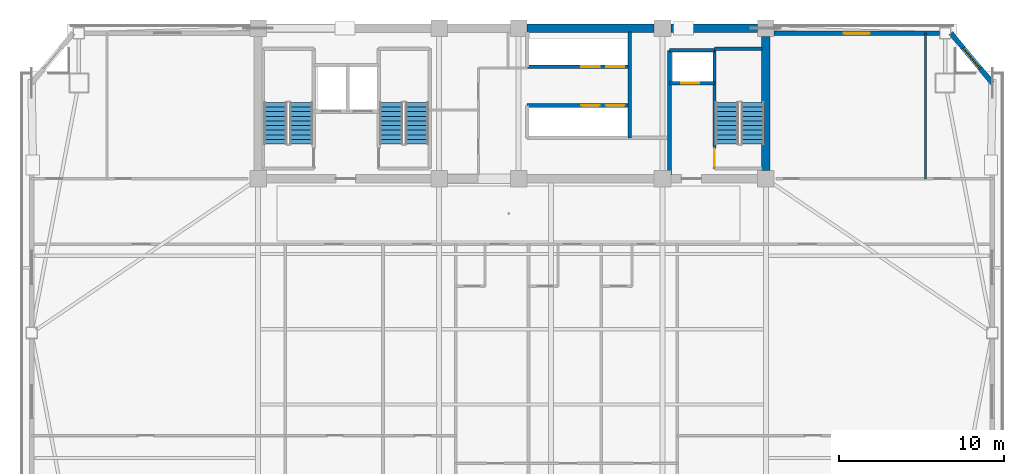
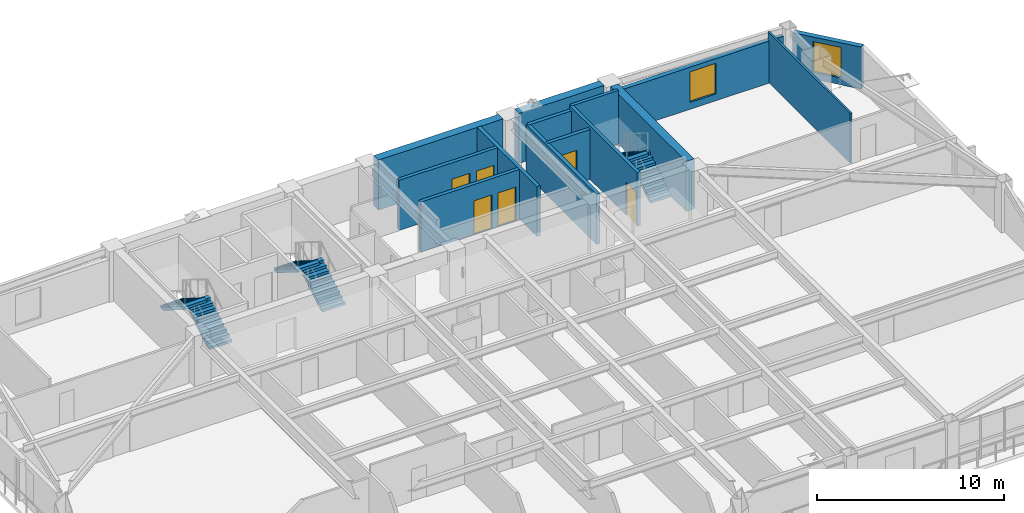
# One storey, part 10 of 15: 14 walls, 6 doors, 6 stair flights, 2 windows, 8 openings, 3 elements without a shape of their own.
"""IFC4 building model written with IfcOpenShell, lengths in metres."""

from ifc_helpers import new_model, si_unit, direction, frame, frame_2d, origin, place, context, subcontext, project, spatial, polyline, rectangle, outline, extrude, source, transform, mapped, material, layer, layer_set, type_object, element, fill, aggregate, save


model = new_model("IFC4")

# Units and contexts
model_context = context("Model", 3, precision=1e-05, world=origin(), true_north=direction((0.0, 1.0)))
body_context = subcontext(model_context, "Body", "Model", "MODEL_VIEW")
ifc_project = project(units=[si_unit("LENGTHUNIT", "METRE"), si_unit("AREAUNIT", "SQUARE_METRE"), si_unit("VOLUMEUNIT", "CUBIC_METRE"), si_unit("PLANEANGLEUNIT", "RADIAN"), si_unit("MASSUNIT", "GRAM", prefix="KILO")], contexts=[model_context])

# Site, building, storey
site_placement = place(None, origin())
site = spatial("IfcSite", under=ifc_project, at=site_placement, CompositionType="ELEMENT")
building_placement = place(site_placement, origin())
building = spatial("IfcBuilding", under=site, at=building_placement, Name="Giltprow Tower", CompositionType="ELEMENT")
storey_placement = place(building_placement, frame((0.0, 0.0, 180.699951171875)))
storey = spatial("IfcBuildingStorey", under=building, at=storey_placement, Name="L45", CompositionType="ELEMENT", Elevation=180.699951171875)

# Wall, opening, window
ifc_material_1 = material(Name="Precast concrete C40", Category="concrete")
ifc_layer_1 = layer(ifc_material_1, 0.300048828125, Name="Precast concrete C40")
ifc_layer_set_1 = layer_set([ifc_layer_1], Name="Precast concrete C40")
wall_type_1 = type_object("IfcWallType", Name="EW-NOTCH-CHAMFER-300", PredefinedType="SOLIDWALL", material=ifc_layer_set_1)
wall_1_placement = place(storey_placement, frame((64.2470703125, 43.239013671875, 0.0), z_axis=(0.0, 0.0, 1.0), x_axis=(-0.640459985381, 0.767991541051, 0.0)))
wall_1 = element("IfcWall", 1, at=wall_1_placement, inside=storey, type_object=wall_type_1, Name="L45 Corner Notch Wall NE", PredefinedType="SOLIDWALL", context=body_context, shape_type="SweptSolid", body=[
    extrude(rectangle(XDim=3.920654296875, YDim=0.300048828125, at=frame_2d((1.96044921875, 0.0))), origin(), (0.0, 0.0, 1.0), 2.75),
])
opening_1_placement = place(wall_1_placement, frame((1.159912109375, 0.0, 0.449951171875)))
opening_1 = element("IfcOpeningElement", 2, at=opening_1_placement, cuts=wall_1, Name="Opening WN17", PredefinedType="OPENING", context=body_context, shape_type="SweptSolid", body=[
    extrude(rectangle(XDim=1.60009765625, YDim=2.0, at=frame_2d((0.800048828125, 1.0))), frame((0.0, 0.159912109375, 0.0), z_axis=(0.0, -1.0, 0.0), x_axis=(1.0, 0.0, 0.0)), (0.0, 0.0, 1.0), 0.320068359375),
])
ifc_material_2 = material(Name="Insulated glass", Category="glass")
window_type = type_object("IfcWindowType", Name="WN-COR-1600x2000", PartitioningType="SINGLE_PANEL", PredefinedType="WINDOW", material=ifc_material_2)
shared_shape_1 = source(origin(), body_context, "Body", "SweptSolid", [
    extrude(rectangle(XDim=1.60009765625, YDim=2.0, at=frame_2d((0.800048828125, 1.0))), frame((0.0, 0.030029296875, 0.0), z_axis=(0.0, -1.0, 0.0), x_axis=(1.0, 0.0, 0.0)), (0.0, 0.0, 1.0), 0.06005859375),
])
window_1_placement = place(opening_1_placement, origin())
window_1 = element("IfcWindow", 3, at=window_1_placement, inside=storey, type_object=window_type, Name="L45 Corner Notch Window NE", OverallHeight=2.0, OverallWidth=1.60009765625, PartitioningType="SINGLE_PANEL", PredefinedType="WINDOW", context=body_context, shape_type="MappedRepresentation", body=[
    mapped(shared_shape_1, transform((0.0, 0.0, 0.0), x_axis=(1.0, 0.0, 0.0), y_axis=(0.0, 1.0, 0.0), z_axis=(0.0, 0.0, 1.0), scale=1.0)),
])
fill(opening_1, window_1)

ifc_layer_2 = layer(ifc_material_1, 0.280029296875, Name="Precast concrete C40")
ifc_layer_set_2 = layer_set([ifc_layer_2], Name="Precast concrete C40")
wall_type_2 = type_object("IfcWallType", Name="EW-TOW-BRONZE-280", PredefinedType="SOLIDWALL", material=ifc_layer_set_2)
wall_2_placement = place(storey_placement, frame((51.050048828125, 46.25, 0.0), z_axis=(0.0, 0.0, 1.0), x_axis=(1.0, 0.0, 0.0)))
wall_2 = element("IfcWall", 4, at=wall_2_placement, inside=storey, type_object=wall_type_2, Name="L45 North-East Wing Wall", PredefinedType="SOLIDWALL", context=body_context, shape_type="SweptSolid", body=[
    extrude(rectangle(XDim=9.98583984375, YDim=0.280029296875, at=frame_2d((4.992919921875, 0.0))), origin(), (0.0, 0.0, 1.0), 2.75),
])
opening_2_placement = place(wall_2_placement, frame((4.193115234375, 0.0, 0.449951171875)))
opening_2 = element("IfcOpeningElement", 5, at=opening_2_placement, cuts=wall_2, Name="Opening WN17", PredefinedType="OPENING", context=body_context, shape_type="SweptSolid", body=[
    extrude(rectangle(XDim=1.60009765625, YDim=2.0, at=frame_2d((0.800048828125, 1.0))), frame((0.0, 0.14990234375, 0.0), z_axis=(0.0, -1.0, 0.0), x_axis=(1.0, 0.0, 0.0)), (0.0, 0.0, 1.0), 0.300048828125),
])
window_2_placement = place(opening_2_placement, origin())
window_2 = element("IfcWindow", 6, at=window_2_placement, inside=storey, type_object=window_type, Name="L45 North-East Window", OverallHeight=2.0, OverallWidth=1.60009765625, PartitioningType="SINGLE_PANEL", PredefinedType="WINDOW", context=body_context, shape_type="MappedRepresentation", body=[
    mapped(shared_shape_1, transform((0.0, 0.0, 0.0), x_axis=(1.0, 0.0, 0.0), y_axis=(0.0, 1.0, 0.0), z_axis=(0.0, 0.0, 1.0), scale=1.0)),
])
fill(opening_2, window_2)

# Wall, opening, door
ifc_material_3 = material(Name="Concrete C40", Category="concrete")
ifc_layer_3 = layer(ifc_material_3, 0.219970703125, Name="Concrete C40")
ifc_layer_set_3 = layer_set([ifc_layer_3], Name="Concrete C40")
wall_type_3 = type_object("IfcWallType", Name="IW-SHAFT-220", PredefinedType="SOLIDWALL", material=ifc_layer_set_3)
wall_3_placement = place(storey_placement, frame((44.719970703125, 43.219970703125, 0.0), z_axis=(0.0, 0.0, 1.0), x_axis=(1.0, 0.0, 0.0)))
wall_3 = element("IfcWall", 7, at=wall_3_placement, inside=storey, type_object=wall_type_3, Name="L45 FFL2 Front Shaft Wall", PredefinedType="SOLIDWALL", context=body_context, shape_type="SweptSolid", body=[
    extrude(rectangle(XDim=2.719970703125, YDim=0.219970703125, at=frame_2d((1.35986328125, 0.0))), origin(), (0.0, 0.0, 1.0), 3.27001953125),
])
opening_3_placement = place(wall_3_placement, frame((0.699951171875, 0.0, 0.0)))
opening_3 = element("IfcOpeningElement", 8, at=opening_3_placement, cuts=wall_3, Name="Opening LD-11", PredefinedType="OPENING", context=body_context, shape_type="SweptSolid", body=[
    extrude(rectangle(XDim=1.10009765625, YDim=2.199951171875, at=frame_2d((0.550048828125, 1.10009765625))), frame((0.0, 0.119873046875, 0.0), z_axis=(0.0, -1.0, 0.0), x_axis=(1.0, 0.0, 0.0)), (0.0, 0.0, 1.0), 0.239990234375),
])
ifc_material_4 = material(Name="Stainless steel", Category="steel")
door_type_1 = type_object("IfcDoorType", Name="DR-LIFT-LD1100", OperationType="SLIDING_TO_LEFT", PredefinedType="DOOR", material=ifc_material_4)
shared_shape_2 = source(origin(), body_context, "Body", "SweptSolid", [
    extrude(rectangle(XDim=1.10009765625, YDim=2.199951171875, at=frame_2d((0.550048828125, 1.10009765625))), frame((0.0, 0.02490234375, 0.0), z_axis=(0.0, -1.0, 0.0), x_axis=(1.0, 0.0, 0.0)), (0.0, 0.0, 1.0), 0.050048828125),
])
door_1_placement = place(opening_3_placement, origin())
door_1 = element("IfcDoor", 9, at=door_1_placement, inside=storey, type_object=door_type_1, Name="L45 FFL2 Landing Door", OperationType="SLIDING_TO_LEFT", OverallHeight=2.199951171875, OverallWidth=1.10009765625, PredefinedType="DOOR", context=body_context, shape_type="MappedRepresentation", body=[
    mapped(shared_shape_2, transform((0.0, 0.0, 0.0), x_axis=(1.0, 0.0, 0.0), y_axis=(0.0, 1.0, 0.0), z_axis=(0.0, 0.0, 1.0), scale=1.0)),
])
fill(opening_3, door_1)

# Walls
wall_4_placement = place(storey_placement, frame((44.719970703125, 45.219970703125, 0.0), z_axis=(0.0, 0.0, 1.0), x_axis=(1.0, 0.0, 0.0)))
element("IfcWall", 10, at=wall_4_placement, inside=storey, type_object=wall_type_3, Name="L45 FFL2 Back Shaft Wall", PredefinedType="SOLIDWALL", context=body_context, shape_type="SweptSolid", body=[
    extrude(rectangle(XDim=2.719970703125, YDim=0.219970703125, at=frame_2d((1.35986328125, 0.0))), origin(), (0.0, 0.0, 1.0), 3.27001953125),
])
wall_5_placement = place(storey_placement, frame((44.719970703125, 37.679931640625, 0.0), z_axis=(0.0, 0.0, 1.0), x_axis=(0.0, 1.0, 0.0)))
element("IfcWall", 11, at=wall_5_placement, inside=storey, type_object=wall_type_3, Name="L45 East Firefighting Lobby West Wall", PredefinedType="SOLIDWALL", context=body_context, shape_type="SweptSolid", body=[
    extrude(rectangle(XDim=7.5400390625, YDim=0.219970703125, at=frame_2d((3.77001953125, 0.0))), origin(), (0.0, 0.0, 1.0), 3.27001953125),
])

# Wall, openings, doors
wall_6_placement = place(storey_placement, frame((36.1201171875, 44.219970703125, 0.0), z_axis=(0.0, 0.0, 1.0), x_axis=(1.0, 0.0, 0.0)))
wall_6 = element("IfcWall", 12, at=wall_6_placement, inside=storey, type_object=wall_type_3, Name="L45 Mid-Rise Lift Shaft Front Wall N", PredefinedType="SOLIDWALL", context=body_context, shape_type="SweptSolid", body=[
    extrude(rectangle(XDim=6.199951171875, YDim=0.219970703125, at=frame_2d((3.10009765625, 0.0))), origin(), (0.0, 0.0, 1.0), 3.27001953125),
])
opening_4_placement = place(wall_6_placement, frame((3.280029296875, 0.0, 0.0)))
opening_4 = element("IfcOpeningElement", 13, at=opening_4_placement, cuts=wall_6, Name="Opening LD-11", PredefinedType="OPENING", context=body_context, shape_type="SweptSolid", body=[
    extrude(rectangle(XDim=1.10009765625, YDim=2.199951171875, at=frame_2d((0.550048828125, 1.10009765625))), frame((0.0, 0.119873046875, 0.0), z_axis=(0.0, -1.0, 0.0), x_axis=(1.0, 0.0, 0.0)), (0.0, 0.0, 1.0), 0.239990234375),
])
opening_5_placement = place(wall_6_placement, frame((4.77001953125, 0.0, 0.0)))
opening_5 = element("IfcOpeningElement", 14, at=opening_5_placement, cuts=wall_6, Name="Opening LD-11", PredefinedType="OPENING", context=body_context, shape_type="SweptSolid", body=[
    extrude(rectangle(XDim=1.10009765625, YDim=2.199951171875, at=frame_2d((0.550048828125, 1.10009765625))), frame((0.0, 0.119873046875, 0.0), z_axis=(0.0, -1.0, 0.0), x_axis=(1.0, 0.0, 0.0)), (0.0, 0.0, 1.0), 0.239990234375),
])
door_2_placement = place(opening_4_placement, origin())
door_2 = element("IfcDoor", 15, at=door_2_placement, inside=storey, type_object=door_type_1, Name="L45 PL-M1 Landing Door", OperationType="SLIDING_TO_LEFT", OverallHeight=2.199951171875, OverallWidth=1.10009765625, PredefinedType="DOOR", context=body_context, shape_type="MappedRepresentation", body=[
    mapped(shared_shape_2, transform((0.0, 0.0, 0.0), x_axis=(1.0, 0.0, 0.0), y_axis=(0.0, 1.0, 0.0), z_axis=(0.0, 0.0, 1.0), scale=1.0)),
])
fill(opening_4, door_2)
door_3_placement = place(opening_5_placement, origin())
door_3 = element("IfcDoor", 16, at=door_3_placement, inside=storey, type_object=door_type_1, Name="L45 PL-M2 Landing Door", OperationType="SLIDING_TO_LEFT", OverallHeight=2.199951171875, OverallWidth=1.10009765625, PredefinedType="DOOR", context=body_context, shape_type="MappedRepresentation", body=[
    mapped(shared_shape_2, transform((0.0, 0.0, 0.0), x_axis=(1.0, 0.0, 0.0), y_axis=(0.0, 1.0, 0.0), z_axis=(0.0, 0.0, 1.0), scale=1.0)),
])
fill(opening_5, door_3)

wall_7_placement = place(storey_placement, frame((36.1201171875, 41.8798828125, 0.0), z_axis=(0.0, 0.0, 1.0), x_axis=(1.0, 0.0, 0.0)))
wall_7 = element("IfcWall", 17, at=wall_7_placement, inside=storey, type_object=wall_type_3, Name="L45 Mid-Rise Lift Shaft Front Wall S", PredefinedType="SOLIDWALL", context=body_context, shape_type="SweptSolid", body=[
    extrude(rectangle(XDim=6.199951171875, YDim=0.219970703125, at=frame_2d((3.10009765625, 0.0))), origin(), (0.0, 0.0, 1.0), 3.27001953125),
])
opening_6_placement = place(wall_7_placement, frame((3.280029296875, 0.0, 0.0)))
opening_6 = element("IfcOpeningElement", 18, at=opening_6_placement, cuts=wall_7, Name="Opening LD-11", PredefinedType="OPENING", context=body_context, shape_type="SweptSolid", body=[
    extrude(rectangle(XDim=1.10009765625, YDim=2.199951171875, at=frame_2d((0.550048828125, 1.10009765625))), frame((0.0, 0.119873046875, 0.0), z_axis=(0.0, -1.0, 0.0), x_axis=(1.0, 0.0, 0.0)), (0.0, 0.0, 1.0), 0.239990234375),
])
opening_7_placement = place(wall_7_placement, frame((4.77001953125, 0.0, 0.0)))
opening_7 = element("IfcOpeningElement", 19, at=opening_7_placement, cuts=wall_7, Name="Opening LD-11", PredefinedType="OPENING", context=body_context, shape_type="SweptSolid", body=[
    extrude(rectangle(XDim=1.10009765625, YDim=2.199951171875, at=frame_2d((0.550048828125, 1.10009765625))), frame((0.0, 0.119873046875, 0.0), z_axis=(0.0, -1.0, 0.0), x_axis=(1.0, 0.0, 0.0)), (0.0, 0.0, 1.0), 0.239990234375),
])
door_4_placement = place(opening_6_placement, origin())
door_4 = element("IfcDoor", 20, at=door_4_placement, inside=storey, type_object=door_type_1, Name="L45 PL-M3 Landing Door", OperationType="SLIDING_TO_LEFT", OverallHeight=2.199951171875, OverallWidth=1.10009765625, PredefinedType="DOOR", context=body_context, shape_type="MappedRepresentation", body=[
    mapped(shared_shape_2, transform((0.0, 0.0, 0.0), x_axis=(1.0, 0.0, 0.0), y_axis=(0.0, 1.0, 0.0), z_axis=(0.0, 0.0, 1.0), scale=1.0)),
])
fill(opening_6, door_4)
door_5_placement = place(opening_7_placement, origin())
door_5 = element("IfcDoor", 21, at=door_5_placement, inside=storey, type_object=door_type_1, Name="L45 PL-M4 Landing Door", OperationType="SLIDING_TO_LEFT", OverallHeight=2.199951171875, OverallWidth=1.10009765625, PredefinedType="DOOR", context=body_context, shape_type="MappedRepresentation", body=[
    mapped(shared_shape_2, transform((0.0, 0.0, 0.0), x_axis=(1.0, 0.0, 0.0), y_axis=(0.0, 1.0, 0.0), z_axis=(0.0, 0.0, 1.0), scale=1.0)),
])
fill(opening_7, door_5)

# Wall
wall_8_placement = place(storey_placement, frame((42.320068359375, 39.919921875, 0.0), z_axis=(0.0, 0.0, 1.0), x_axis=(0.0, 1.0, 0.0)))
element("IfcWall", 22, at=wall_8_placement, inside=storey, type_object=wall_type_3, Name="L45 Mid-Rise Lift Bank East Closure", PredefinedType="SOLIDWALL", context=body_context, shape_type="SweptSolid", body=[
    extrude(rectangle(XDim=6.400146484375, YDim=0.219970703125, at=frame_2d((3.2001953125, 0.0))), origin(), (0.0, 0.0, 1.0), 3.27001953125),
])

# Wall, opening, door
ifc_layer_4 = layer(ifc_material_3, 0.199951171875, Name="Concrete C40")
ifc_layer_set_4 = layer_set([ifc_layer_4], Name="Concrete C40")
wall_type_4 = type_object("IfcWallType", Name="IW-STAIR-200", PredefinedType="SOLIDWALL", material=ifc_layer_set_4)
wall_9_placement = place(storey_placement, frame((47.43994140625, 38.070068359375, 0.0), z_axis=(0.0, 0.0, 1.0), x_axis=(0.0, 1.0, 0.0)))
wall_9 = element("IfcWall", 23, at=wall_9_placement, inside=storey, type_object=wall_type_4, Name="L45 Stair ST-3 West Bearing Wall", PredefinedType="SOLIDWALL", context=body_context, shape_type="SweptSolid", body=[
    extrude(rectangle(XDim=7.25, YDim=0.199951171875, at=frame_2d((3.625, 0.0))), origin(), (0.0, 0.0, 1.0), 3.5),
])
opening_8_placement = place(wall_9_placement, frame((0.110107421875, 0.0, 0.0)))
opening_8 = element("IfcOpeningElement", 24, at=opening_8_placement, cuts=wall_9, Name="Opening ID33", PredefinedType="OPENING", context=body_context, shape_type="SweptSolid", body=[
    extrude(rectangle(XDim=1.10009765625, YDim=2.14990234375, at=frame_2d((0.550048828125, 1.074951171875))), frame((0.0, 0.10986328125, 0.0), z_axis=(0.0, -1.0, 0.0), x_axis=(1.0, 0.0, 0.0)), (0.0, 0.0, 1.0), 0.219970703125),
])
ifc_material_5 = material(Name="Steel fire leaf", Category="steel")
door_type_2 = type_object("IfcDoorType", Name="DR-STAIR-1100", OperationType="SINGLE_SWING_LEFT", PredefinedType="DOOR", material=ifc_material_5)
shared_shape_3 = source(origin(), body_context, "Body", "SweptSolid", [
    extrude(rectangle(XDim=1.10009765625, YDim=2.14990234375, at=frame_2d((0.550048828125, 1.074951171875))), frame((0.0, 0.02490234375, 0.0), z_axis=(0.0, -1.0, 0.0), x_axis=(1.0, 0.0, 0.0)), (0.0, 0.0, 1.0), 0.050048828125),
])
door_6_placement = place(opening_8_placement, origin())
door_6 = element("IfcDoor", 25, at=door_6_placement, inside=storey, type_object=door_type_2, Name="L45 Stair ST-3 Fire Door", OperationType="SINGLE_SWING_LEFT", OverallHeight=2.14990234375, OverallWidth=1.10009765625, PredefinedType="DOOR", context=body_context, shape_type="MappedRepresentation", body=[
    mapped(shared_shape_3, transform((0.0, 0.0, 0.0), x_axis=(1.0, 0.0, 0.0), y_axis=(0.0, 1.0, 0.0), z_axis=(0.0, 0.0, 1.0), scale=1.0)),
])
fill(opening_8, door_6)

# Walls
wall_10_placement = place(storey_placement, frame((47.43994140625, 45.320068359375, 0.0), z_axis=(0.0, 0.0, 1.0), x_axis=(1.0, 0.0, 0.0)))
element("IfcWall", 26, at=wall_10_placement, inside=storey, type_object=wall_type_4, Name="L45 Stair ST-3 North Bearing Wall", PredefinedType="SOLIDWALL", context=body_context, shape_type="SweptSolid", body=[
    extrude(rectangle(XDim=2.880126953125, YDim=0.199951171875, at=frame_2d((1.43994140625, 0.0))), origin(), (0.0, 0.0, 1.0), 3.5),
])
ifc_material_6 = material(Name="Concrete C30", Category="concrete")
ifc_layer_5 = layer(ifc_material_6, 0.1298828125, Name="Concrete C30")
ifc_layer_set_5 = layer_set([ifc_layer_5], Name="Concrete C30")
wall_type_5 = type_object("IfcWallType", Name="IW-WET-130", PredefinedType="PARTITIONING", material=ifc_layer_set_5)
wall_11_placement = place(storey_placement, frame((60.2080078125, 37.449951171875, 0.0), z_axis=(0.0, 0.0, 1.0), x_axis=(0.0, 1.0, 0.0)))
element("IfcWall", 27, at=wall_11_placement, inside=storey, type_object=wall_type_5, Name="L45 NE Wing Divider", PredefinedType="PARTITIONING", context=body_context, shape_type="SweptSolid", body=[
    extrude(rectangle(XDim=8.800048828125, YDim=0.1298828125, at=frame_2d((4.39990234375, 0.0))), origin(), (0.0, 0.0, 1.0), 3.27001953125),
])
ifc_material_7 = material(Name="Concrete C50", Category="concrete")
ifc_layer_6 = layer(ifc_material_7, 0.5, Name="Concrete C50")
ifc_layer_set_6 = layer_set([ifc_layer_6], Name="Concrete C50")
wall_type_6 = type_object("IfcWallType", Name="SW-EXT-500-C50", PredefinedType="SHEAR", material=ifc_layer_set_6)
wall_12_placement = place(storey_placement, frame((36.10009765625, 46.550048828125, 0.0), z_axis=(0.0, 0.0, 1.0), x_axis=(1.0, 0.0, 0.0)))
element("IfcWall", 28, at=wall_12_placement, inside=storey, type_object=wall_type_6, Name="L45 North Rear Core Shear Wall 3", PredefinedType="SHEAR", context=body_context, shape_type="SweptSolid", body=[
    extrude(rectangle(XDim=7.699951171875, YDim=0.5, at=frame_2d((3.85009765625, 0.0))), origin(), (0.0, 0.0, 1.0), 3.27001953125),
])
wall_13_placement = place(storey_placement, frame((44.800048828125, 46.550048828125, 0.0), z_axis=(0.0, 0.0, 1.0), x_axis=(1.0, 0.0, 0.0)))
element("IfcWall", 29, at=wall_13_placement, inside=storey, type_object=wall_type_6, Name="L45 North Rear Core Shear Wall 4", PredefinedType="SHEAR", context=body_context, shape_type="SweptSolid", body=[
    extrude(rectangle(XDim=5.25, YDim=0.5, at=frame_2d((2.625, 0.0))), origin(), (0.0, 0.0, 1.0), 3.27001953125),
])
ifc_layer_7 = layer(ifc_material_7, 0.5, Name="Concrete C50")
ifc_layer_set_7 = layer_set([ifc_layer_7], Name="Concrete C50")
wall_type_7 = type_object("IfcWallType", Name="SW-INT-500-C50", PredefinedType="SHEAR", material=ifc_layer_set_7)
wall_14_placement = place(storey_placement, frame((50.550048828125, 37.949951171875, 0.0), z_axis=(0.0, 0.0, 1.0), x_axis=(0.0, 1.0, 0.0)))
element("IfcWall", 30, at=wall_14_placement, inside=storey, type_object=wall_type_7, Name="L45 E Rear Core Shear Wall", PredefinedType="SHEAR", context=body_context, shape_type="SweptSolid", body=[
    extrude(rectangle(XDim=8.10009765625, YDim=0.5, at=frame_2d((4.050048828125, 0.0))), origin(), (0.0, 0.0, 1.0), 3.27001953125),
])

# Stair, stair flights
stair_type_1 = type_object("IfcStairType", Name="STR-ST-1", PredefinedType="HALF_TURN_STAIR", material=ifc_material_3)
stair_1_placement = place(storey_placement, origin())
stair_1 = element("IfcStair", 31, at=stair_1_placement, inside=storey, type_object=stair_type_1, Name="L45 Core Exit Stair ST-1", PredefinedType="HALF_TURN_STAIR")
stair_flight_type_1 = type_object("IfcStairFlightType", Name="SFL-ST-1", PredefinedType="STRAIGHT", material=ifc_material_3)
stair_flight_1_placement = place(storey_placement, frame((22.4599609375, 39.550048828125, 0.0), z_axis=(0.0, 0.0, 1.0), x_axis=(0.0, 1.0, 0.0)))
stair_flight_1 = element("IfcStairFlight", 32, at=stair_flight_1_placement, type_object=stair_flight_type_1, Name="ST-1 flight 1", NumberOfRisers=10, NumberOfTreads=9, PredefinedType="STRAIGHT", RiserHeight=0.175, TreadLength=0.28, context=body_context, shape_type="SweptSolid", body=[
    extrude(outline(polyline([(0.0, 0.0), (0.0, 0.175048828125), (0.280029296875, 0.175048828125), (0.280029296875, 0.35009765625), (0.56005859375, 0.35009765625), (0.56005859375, 0.52490234375), (0.840087890625, 0.52490234375), (0.840087890625, 0.699951171875), (1.1201171875, 0.699951171875), (1.1201171875, 0.875), (1.39990234375, 0.875), (1.39990234375, 1.050048828125), (1.679931640625, 1.050048828125), (1.679931640625, 1.22509765625), (1.9599609375, 1.22509765625), (1.9599609375, 1.39990234375), (2.239990234375, 1.39990234375), (2.239990234375, 1.574951171875), (2.52001953125, 1.574951171875), (2.52001953125, 1.75), (2.52001953125, 1.398193359375), (0.28271484375, 0.0), (0.0, 0.0)])), frame((0.0, 0.699951171875, 0.0), z_axis=(0.0, -1.0, 0.0), x_axis=(1.0, 0.0, 0.0)), (0.0, 0.0, 1.0), 1.39990234375),
])
stair_flight_2_placement = place(storey_placement, frame((20.89990234375, 42.070068359375, 1.75), z_axis=(0.0, 0.0, 1.0), x_axis=(0.0, -1.0, 0.0)))
stair_flight_2 = element("IfcStairFlight", 33, at=stair_flight_2_placement, type_object=stair_flight_type_1, Name="ST-1 flight 2", NumberOfRisers=10, NumberOfTreads=9, PredefinedType="STRAIGHT", RiserHeight=0.175, TreadLength=0.28, context=body_context, shape_type="SweptSolid", body=[
    extrude(outline(polyline([(0.0, 0.0), (0.0, 0.175048828125), (0.280029296875, 0.175048828125), (0.280029296875, 0.35009765625), (0.56005859375, 0.35009765625), (0.56005859375, 0.52490234375), (0.840087890625, 0.52490234375), (0.840087890625, 0.699951171875), (1.1201171875, 0.699951171875), (1.1201171875, 0.875), (1.39990234375, 0.875), (1.39990234375, 1.050048828125), (1.679931640625, 1.050048828125), (1.679931640625, 1.22509765625), (1.9599609375, 1.22509765625), (1.9599609375, 1.39990234375), (2.239990234375, 1.39990234375), (2.239990234375, 1.574951171875), (2.52001953125, 1.574951171875), (2.52001953125, 1.75), (2.52001953125, 1.398193359375), (0.28271484375, 0.0), (0.0, 0.0)])), frame((0.0, 0.699951171875, 0.0), z_axis=(0.0, -1.0, 0.0), x_axis=(1.0, 0.0, 0.0)), (0.0, 0.0, 1.0), 1.39990234375),
])
aggregate(stair_1, [stair_flight_1, stair_flight_2])

stair_type_2 = type_object("IfcStairType", Name="STR-ST-2", PredefinedType="HALF_TURN_STAIR", material=ifc_material_3)
stair_2_placement = place(storey_placement, origin())
stair_2 = element("IfcStair", 34, at=stair_2_placement, inside=storey, type_object=stair_type_2, Name="L45 Core Exit Stair ST-2", PredefinedType="HALF_TURN_STAIR")
stair_flight_type_2 = type_object("IfcStairFlightType", Name="SFL-ST-2", PredefinedType="STRAIGHT", material=ifc_material_3)
stair_flight_3_placement = place(storey_placement, frame((29.4599609375, 39.550048828125, 0.0), z_axis=(0.0, 0.0, 1.0), x_axis=(0.0, 1.0, 0.0)))
stair_flight_3 = element("IfcStairFlight", 35, at=stair_flight_3_placement, type_object=stair_flight_type_2, Name="ST-2 flight 1", NumberOfRisers=10, NumberOfTreads=9, PredefinedType="STRAIGHT", RiserHeight=0.175, TreadLength=0.28, context=body_context, shape_type="SweptSolid", body=[
    extrude(outline(polyline([(0.0, 0.0), (0.0, 0.175048828125), (0.280029296875, 0.175048828125), (0.280029296875, 0.35009765625), (0.56005859375, 0.35009765625), (0.56005859375, 0.52490234375), (0.840087890625, 0.52490234375), (0.840087890625, 0.699951171875), (1.1201171875, 0.699951171875), (1.1201171875, 0.875), (1.39990234375, 0.875), (1.39990234375, 1.050048828125), (1.679931640625, 1.050048828125), (1.679931640625, 1.22509765625), (1.9599609375, 1.22509765625), (1.9599609375, 1.39990234375), (2.239990234375, 1.39990234375), (2.239990234375, 1.574951171875), (2.52001953125, 1.574951171875), (2.52001953125, 1.75), (2.52001953125, 1.398193359375), (0.28271484375, 0.0), (0.0, 0.0)])), frame((0.0, 0.699951171875, 0.0), z_axis=(0.0, -1.0, 0.0), x_axis=(1.0, 0.0, 0.0)), (0.0, 0.0, 1.0), 1.39990234375),
])
stair_flight_4_placement = place(storey_placement, frame((27.89990234375, 42.070068359375, 1.75), z_axis=(0.0, 0.0, 1.0), x_axis=(0.0, -1.0, 0.0)))
stair_flight_4 = element("IfcStairFlight", 36, at=stair_flight_4_placement, type_object=stair_flight_type_2, Name="ST-2 flight 2", NumberOfRisers=10, NumberOfTreads=9, PredefinedType="STRAIGHT", RiserHeight=0.175, TreadLength=0.28, context=body_context, shape_type="SweptSolid", body=[
    extrude(outline(polyline([(0.0, 0.0), (0.0, 0.175048828125), (0.280029296875, 0.175048828125), (0.280029296875, 0.35009765625), (0.56005859375, 0.35009765625), (0.56005859375, 0.52490234375), (0.840087890625, 0.52490234375), (0.840087890625, 0.699951171875), (1.1201171875, 0.699951171875), (1.1201171875, 0.875), (1.39990234375, 0.875), (1.39990234375, 1.050048828125), (1.679931640625, 1.050048828125), (1.679931640625, 1.22509765625), (1.9599609375, 1.22509765625), (1.9599609375, 1.39990234375), (2.239990234375, 1.39990234375), (2.239990234375, 1.574951171875), (2.52001953125, 1.574951171875), (2.52001953125, 1.75), (2.52001953125, 1.398193359375), (0.28271484375, 0.0), (0.0, 0.0)])), frame((0.0, 0.699951171875, 0.0), z_axis=(0.0, -1.0, 0.0), x_axis=(1.0, 0.0, 0.0)), (0.0, 0.0, 1.0), 1.39990234375),
])
aggregate(stair_2, [stair_flight_3, stair_flight_4])

stair_type_3 = type_object("IfcStairType", Name="STR-ST-3", PredefinedType="HALF_TURN_STAIR", material=ifc_material_3)
stair_3_placement = place(storey_placement, origin())
stair_3 = element("IfcStair", 37, at=stair_3_placement, inside=storey, type_object=stair_type_3, Name="L45 Core Exit Stair ST-3", PredefinedType="HALF_TURN_STAIR")
stair_flight_type_3 = type_object("IfcStairFlightType", Name="SFL-ST-3", PredefinedType="STRAIGHT", material=ifc_material_3)
stair_flight_5_placement = place(storey_placement, frame((49.760009765625, 39.550048828125, 0.0), z_axis=(0.0, 0.0, 1.0), x_axis=(0.0, 1.0, 0.0)))
stair_flight_5 = element("IfcStairFlight", 38, at=stair_flight_5_placement, type_object=stair_flight_type_3, Name="ST-3 flight 1", NumberOfRisers=10, NumberOfTreads=9, PredefinedType="STRAIGHT", RiserHeight=0.175, TreadLength=0.28, context=body_context, shape_type="SweptSolid", body=[
    extrude(outline(polyline([(0.0, 0.0), (0.0, 0.175048828125), (0.280029296875, 0.175048828125), (0.280029296875, 0.35009765625), (0.56005859375, 0.35009765625), (0.56005859375, 0.52490234375), (0.840087890625, 0.52490234375), (0.840087890625, 0.699951171875), (1.1201171875, 0.699951171875), (1.1201171875, 0.875), (1.39990234375, 0.875), (1.39990234375, 1.050048828125), (1.679931640625, 1.050048828125), (1.679931640625, 1.22509765625), (1.9599609375, 1.22509765625), (1.9599609375, 1.39990234375), (2.239990234375, 1.39990234375), (2.239990234375, 1.574951171875), (2.52001953125, 1.574951171875), (2.52001953125, 1.75), (2.52001953125, 1.398193359375), (0.28271484375, 0.0), (0.0, 0.0)])), frame((0.0, 0.699951171875, 0.0), z_axis=(0.0, -1.0, 0.0), x_axis=(1.0, 0.0, 0.0)), (0.0, 0.0, 1.0), 1.39990234375),
])
stair_flight_6_placement = place(storey_placement, frame((48.199951171875, 42.070068359375, 1.75), z_axis=(0.0, 0.0, 1.0), x_axis=(0.0, -1.0, 0.0)))
stair_flight_6 = element("IfcStairFlight", 39, at=stair_flight_6_placement, type_object=stair_flight_type_3, Name="ST-3 flight 2", NumberOfRisers=10, NumberOfTreads=9, PredefinedType="STRAIGHT", RiserHeight=0.175, TreadLength=0.28, context=body_context, shape_type="SweptSolid", body=[
    extrude(outline(polyline([(0.0, 0.0), (0.0, 0.175048828125), (0.280029296875, 0.175048828125), (0.280029296875, 0.35009765625), (0.56005859375, 0.35009765625), (0.56005859375, 0.52490234375), (0.840087890625, 0.52490234375), (0.840087890625, 0.699951171875), (1.1201171875, 0.699951171875), (1.1201171875, 0.875), (1.39990234375, 0.875), (1.39990234375, 1.050048828125), (1.679931640625, 1.050048828125), (1.679931640625, 1.22509765625), (1.9599609375, 1.22509765625), (1.9599609375, 1.39990234375), (2.239990234375, 1.39990234375), (2.239990234375, 1.574951171875), (2.52001953125, 1.574951171875), (2.52001953125, 1.75), (2.52001953125, 1.398193359375), (0.28271484375, 0.0), (0.0, 0.0)])), frame((0.0, 0.699951171875, 0.0), z_axis=(0.0, -1.0, 0.0), x_axis=(1.0, 0.0, 0.0)), (0.0, 0.0, 1.0), 1.39990234375),
])
aggregate(stair_3, [stair_flight_5, stair_flight_6])

save(model, "model.ifc")
